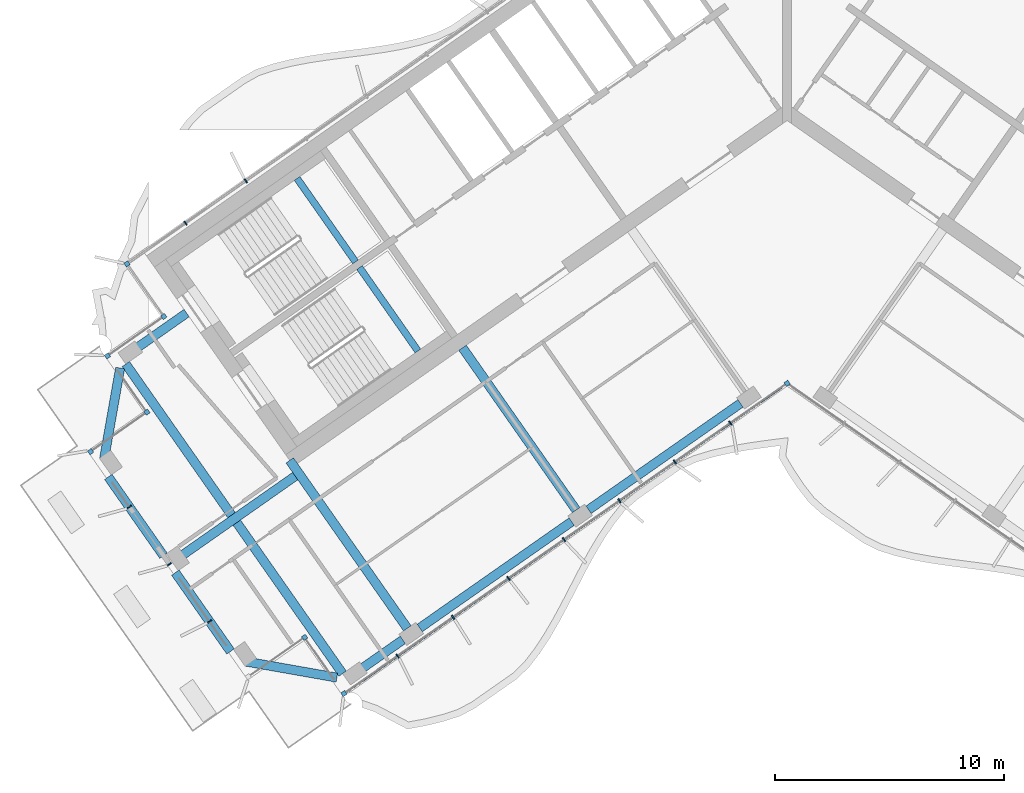
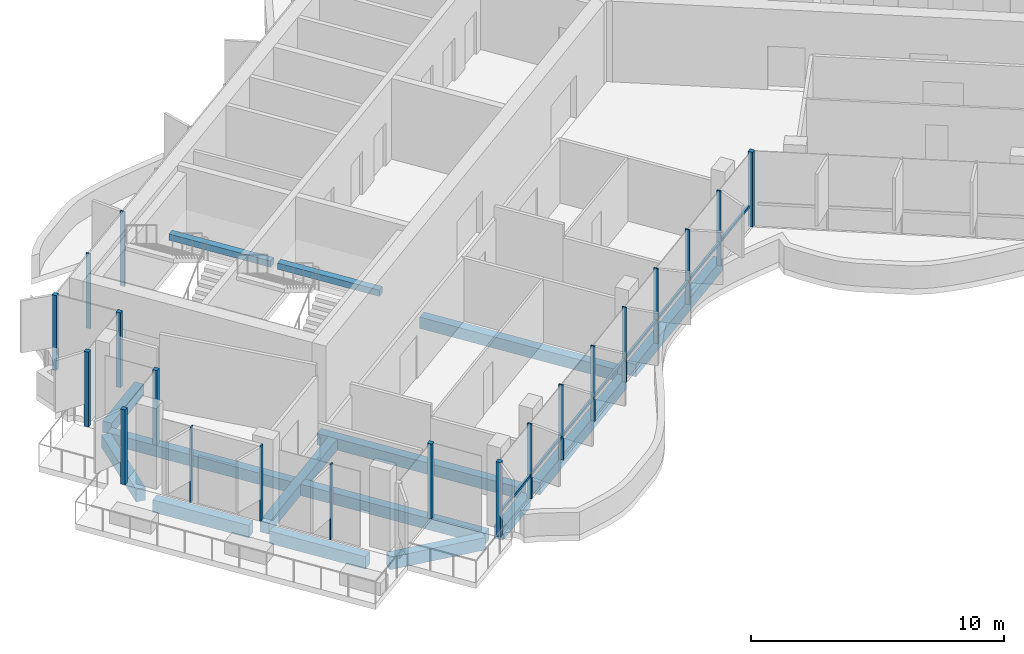
# One storey, part 2 of 18: 21 members, 14 beams, 4 elements without a shape of their own.
"""IFC4 building model written with IfcOpenShell, lengths in metres."""

import ifcopenshell
import ifcopenshell.guid

model = None  # the IFC model being written
_history = None  # IfcOwnerHistory: only IFC2X3 demands one
_inside = {}  # id of a spatial element -> (the spatial element, [elements in it])
_under = {}  # id of a project, library or spatial element -> (it, [spatial elements below it])
_declared = {}  # id of a project -> (the project, [libraries it declares])
_typed = {}  # id of a type object -> (the type object, [elements of that type])
_made_of = {}  # id of a material, layer set ... -> (it, [elements and type objects made of it])


def new_model(schema):
    """Start an empty IFC model of exactly this schema.

    Asked for "IFC4X3", IfcOpenShell would pick the latest addendum, in which some entities
    have other attributes; the version numbers below select the first issue.
    IFC2X3 requires an IfcOwnerHistory on every rooted entity: one is made here for all.
    """
    global model, _history
    if schema == "IFC4X3":
        model = ifcopenshell.file(schema_version=(4, 3, 0, 0))
    else:
        model = ifcopenshell.file(schema=schema)
    _inside.clear()
    _under.clear()
    _declared.clear()
    _typed.clear()
    _made_of.clear()
    _history = None
    if model.schema == "IFC2X3":
        org = make("IfcOrganization", Name="unknown")
        user = make(
            "IfcPersonAndOrganization",
            ThePerson=make("IfcPerson", FamilyName="unknown"),
            TheOrganization=org,
        )
        app = make(
            "IfcApplication",
            ApplicationDeveloper=org,
            Version="unknown",
            ApplicationFullName="unknown",
            ApplicationIdentifier="unknown",
        )
        _history = make(
            "IfcOwnerHistory",
            OwningUser=user,
            OwningApplication=app,
            ChangeAction="ADDED",
            CreationDate=0,
        )
    return model


def make(cls, **values):
    """One entity of the class cls with the attributes given. An attribute that is None is left unset."""
    return model.create_entity(
        cls, **{name: value for name, value in values.items() if value is not None}
    )


def rooted(cls, **values):
    """An entity with a GlobalId (a new one), such as an element, a storey or a relation."""
    return make(cls, GlobalId=ifcopenshell.guid.new(), OwnerHistory=_history, **values)


def si_unit(unit_type, name, prefix=None):
    """IfcSIUnit, for example si_unit("LENGTHUNIT", "METRE", prefix="MILLI")."""
    return make("IfcSIUnit", UnitType=unit_type, Prefix=prefix, Name=name)


def assignment(units):
    """IfcUnitAssignment: the units of a project."""
    return None if units is None else make("IfcUnitAssignment", Units=units)


def point(xyz):
    """IfcCartesianPoint."""
    return None if xyz is None else make("IfcCartesianPoint", Coordinates=xyz)


def direction(xyz):
    """IfcDirection."""
    return None if xyz is None else make("IfcDirection", DirectionRatios=xyz)


def frame(location, z_axis=None, x_axis=None):
    """IfcAxis2Placement3D, a coordinate frame: its origin and axes. An axis left out is left unset."""
    return make(
        "IfcAxis2Placement3D",
        Location=point(location),
        Axis=direction(z_axis),
        RefDirection=direction(x_axis),
    )


def frame_2d(location, x_axis=None):
    """IfcAxis2Placement2D, a coordinate frame in the plane: its origin and x axis."""
    return make(
        "IfcAxis2Placement2D", Location=point(location), RefDirection=direction(x_axis)
    )


def origin():
    """The frame at (0, 0, 0) with its axes left unset."""
    return frame((0.0, 0.0, 0.0))


def origin_2d():
    """The frame at (0, 0) in the plane with its x axis left unset."""
    return frame_2d((0.0, 0.0))


def place(relative_to, where):
    """IfcLocalPlacement: puts the frame where relative to a parent placement (None: the world)."""
    return make(
        "IfcLocalPlacement", PlacementRelTo=relative_to, RelativePlacement=where
    )


def context(
    kind, dimensions, precision=None, world=None, true_north=None, identifier=None
):
    """IfcGeometricRepresentationContext, for example the 3D "Model" context."""
    return make(
        "IfcGeometricRepresentationContext",
        ContextIdentifier=identifier,
        ContextType=kind,
        CoordinateSpaceDimension=dimensions,
        Precision=precision,
        WorldCoordinateSystem=world,
        TrueNorth=true_north,
    )


def subcontext(parent, identifier, kind, view, scale=None):
    """IfcGeometricRepresentationSubContext, for example "Body" below "Model"."""
    return make(
        "IfcGeometricRepresentationSubContext",
        ContextIdentifier=identifier,
        ContextType=kind,
        ParentContext=parent,
        TargetScale=scale,
        TargetView=view,
    )


def project(units=None, contexts=None):
    """IfcProject with its units and contexts."""
    return rooted(
        "IfcProject",
        Name="project",
        RepresentationContexts=contexts,
        UnitsInContext=assignment(units),
    )


def spatial(cls, under=None, at=None, **own):
    """A site, building, storey or space (cls), placed at a placement, below another one or the project."""
    s = rooted(cls, ObjectPlacement=at, **own)
    if under is not None:
        _under.setdefault(under.id(), (under, []))[1].append(s)
    return s


def profile(cls, at=None, kind="AREA", **sizes):
    """A parametric profile (cls). Its sizes go by their IFC names, for example OverallWidth=200.0."""
    return make(cls, ProfileType=kind, Position=at, **sizes)


def rectangle(**sizes):
    """IfcRectangleProfileDef."""
    return profile("IfcRectangleProfileDef", **sizes)


def extrude(swept, where, along, depth):
    """IfcExtrudedAreaSolid: the profile swept, set in the frame where, extruded along a direction by depth."""
    return make(
        "IfcExtrudedAreaSolid",
        SweptArea=swept,
        Position=where,
        ExtrudedDirection=direction(along),
        Depth=depth,
    )


def shape(context_of_items, identifier, shape_type, items):
    """IfcShapeRepresentation: the items that make up one representation, for example the "Body"."""
    return make(
        "IfcShapeRepresentation",
        ContextOfItems=context_of_items,
        RepresentationIdentifier=identifier,
        RepresentationType=shape_type,
        Items=items,
    )


def material(Name=None, Category=None):
    """IfcMaterial."""
    return make("IfcMaterial", Name=Name, Category=Category)


def material_profile(
    of_material, cross_section, Name=None, Category=None, Priority=None
):
    """IfcMaterialProfile: a cross section and its material."""
    return make(
        "IfcMaterialProfile",
        Name=Name,
        Material=of_material,
        Profile=cross_section,
        Priority=Priority,
        Category=Category,
    )


def profile_set(profiles, Name=None, composite=None):
    """IfcMaterialProfileSet."""
    return make(
        "IfcMaterialProfileSet",
        Name=Name,
        MaterialProfiles=profiles,
        CompositeProfile=composite,
    )


def made_of(thing, what):
    """Note that an element or type object is made of a material, layer set ...; save() writes the relation."""
    if what is not None:
        _made_of.setdefault(what.id(), (what, []))[1].append(thing)
    return thing


def type_object(cls, material=None, **own):
    """A type object (cls), such as IfcWallType, which elements share."""
    return made_of(rooted(cls, **own), material)


def element(
    cls,
    number,
    at=None,
    inside=None,
    cuts=None,
    type_object=None,
    material=None,
    context=None,
    identifier="Body",
    shape_type=None,
    held_by="IfcProductDefinitionShape",
    body=None,
    shapes=None,
    **own,
):
    """One element of the class cls, such as IfcWall. Its Tag is "e" and its number.

    at: its placement. inside: the storey or other place that contains it. cuts: it is an
    opening in that element (IfcRelVoidsElement). A single representation is given by context,
    identifier, shape_type and body (its items); several are given by shapes. held_by: the class
    of the entity that holds the representations. save() writes the other relations.
    """
    e = rooted(cls, Tag="e%d" % number, ObjectPlacement=at, **own)
    if body is not None:
        shapes = [shape(context, identifier, shape_type, body)]
    if shapes is not None:
        e.Representation = make(held_by, Representations=shapes)
    if inside is not None:
        _inside.setdefault(inside.id(), (inside, []))[1].append(e)
    if cuts is not None:
        rooted(
            "IfcRelVoidsElement", RelatingBuildingElement=cuts, RelatedOpeningElement=e
        )
    if type_object is not None:
        _typed.setdefault(type_object.id(), (type_object, []))[1].append(e)
    return made_of(e, material)


def aggregate(whole, parts):
    """IfcRelAggregates: a whole, such as a stair, and the parts it consists of."""
    return rooted("IfcRelAggregates", RelatingObject=whole, RelatedObjects=parts)


def save(model, path):
    """Write the relations noted so far, then the file.

    IfcRelAggregates (storeys below a building ...), IfcRelContainedInSpatialStructure (elements
    in a storey), IfcRelDefinesByType, IfcRelAssociatesMaterial and IfcRelDeclares: one each for
    every whole, place, type object, material and project.
    """
    for whole, parts in _under.values():
        aggregate(whole, parts)
    for where, things in _inside.values():
        rooted(
            "IfcRelContainedInSpatialStructure",
            RelatedElements=things,
            RelatingStructure=where,
        )
    for kind, things in _typed.values():
        rooted("IfcRelDefinesByType", RelatedObjects=things, RelatingType=kind)
    for what, things in _made_of.values():
        rooted("IfcRelAssociatesMaterial", RelatedObjects=things, RelatingMaterial=what)
    for by, libraries in _declared.values():
        rooted("IfcRelDeclares", RelatingContext=by, RelatedDefinitions=libraries)
    model.write(path)


model = new_model("IFC4")

# Units and contexts
model_context = context("Model", 3, precision=1e-05, world=origin(), true_north=direction((0.0, 1.0)))
body_context = subcontext(model_context, "Body", "Model", "MODEL_VIEW")
ifc_project = project(units=[si_unit("LENGTHUNIT", "METRE"), si_unit("AREAUNIT", "SQUARE_METRE"), si_unit("VOLUMEUNIT", "CUBIC_METRE"), si_unit("PLANEANGLEUNIT", "RADIAN"), si_unit("MASSUNIT", "GRAM", prefix="KILO")], contexts=[model_context])

# Site, building, storey
site_placement = place(None, origin())
site = spatial("IfcSite", under=ifc_project, at=site_placement, CompositionType="ELEMENT")
building_placement = place(site_placement, origin())
building = spatial("IfcBuilding", under=site, at=building_placement, Name="Tel Ilan Convention Tower", CompositionType="ELEMENT")
storey_placement = place(building_placement, frame((0.0, 0.0, 295.60009765625)))
storey = spatial("IfcBuildingStorey", under=building, at=storey_placement, Name="L70", CompositionType="ELEMENT", Elevation=295.60009765625)

# Beams
ifc_material_1 = material(Name="Concrete C40/50", Category="concrete")
ifc_material_profile_1 = material_profile(ifc_material_1, rectangle(XDim=0.39990234375, YDim=0.550048828125, at=origin_2d()), Name="RC 400x550")
ifc_profile_set_1 = profile_set([ifc_material_profile_1], Name="Concrete C40/50")
beam_type_1 = type_object("IfcBeamType", Name="Beam RC 400x550 Concrete C40/50", PredefinedType="BEAM", material=ifc_profile_set_1)
beam_1_placement = place(storey_placement, frame((-28.677490234375, -11.351806640625, -0.55517578125), z_axis=(0.819121115615, 0.573620604541, 0.0), x_axis=(-0.573620604541, 0.819121115615, 0.0)))
element("IfcBeam", 1, at=beam_1_placement, inside=storey, type_object=beam_type_1, Name="L70 beam W-W-BC-core", PredefinedType="BEAM", context=body_context, shape_type="SweptSolid", body=[
    extrude(rectangle(XDim=0.39990234375, YDim=0.550048828125, at=origin_2d()), origin(), (0.0, 0.0, 1.0), 3.002197265625),
])
beam_2_placement = place(storey_placement, frame((-9.209716796875, -18.229248046875, -0.55517578125), z_axis=(-0.573574099654, 0.819153680457, 0.0), x_axis=(-0.819153680457, -0.573574099654, 0.0)))
element("IfcBeam", 2, at=beam_2_placement, inside=storey, type_object=beam_type_1, Name="L70 beam W-W-F2-core", PredefinedType="BEAM", context=body_context, shape_type="SweptSolid", body=[
    extrude(rectangle(XDim=0.39990234375, YDim=0.550048828125, at=origin_2d()), origin(), (0.0, 0.0, 1.0), 8.64990234375),
])
beam_3_placement = place(storey_placement, frame((-16.58203125, -23.391357421875, -0.55517578125), z_axis=(-0.573584999642, 0.819146048141, 0.0), x_axis=(-0.819146048141, -0.573584999642, 0.0)))
element("IfcBeam", 3, at=beam_3_placement, inside=storey, type_object=beam_type_1, Name="L70 beam W-W-F3-core", PredefinedType="BEAM", context=body_context, shape_type="SweptSolid", body=[
    extrude(rectangle(XDim=0.39990234375, YDim=0.550048828125, at=origin_2d()), origin(), (0.0, 0.0, 1.0), 8.949951171875),
])
beam_4_placement = place(storey_placement, frame((-21.477783203125, -16.748046875, -0.55517578125), z_axis=(-0.819149506207, -0.573580061091, 0.0), x_axis=(0.573580061091, -0.819149506207, 0.0)))
element("IfcBeam", 4, at=beam_4_placement, inside=storey, type_object=beam_type_1, Name="L70 beam W-core-end", PredefinedType="BEAM", context=body_context, shape_type="SweptSolid", body=[
    extrude(rectangle(XDim=0.39990234375, YDim=0.550048828125, at=origin_2d()), origin(), (0.0, 0.0, 1.0), 6.402587890625),
])
beam_5_placement = place(storey_placement, frame((-19.41015625, -25.37158203125, -0.55517578125), z_axis=(-0.573567602601, 0.819158229677, 0.0), x_axis=(-0.819158229677, -0.573567602601, 0.0)))
element("IfcBeam", 5, at=beam_5_placement, inside=storey, type_object=beam_type_1, Name="L70 beam W-W-FC-W-BC", PredefinedType="BEAM", context=body_context, shape_type="SweptSolid", body=[
    extrude(rectangle(XDim=0.39990234375, YDim=0.550048828125, at=origin_2d()), origin(), (0.0, 0.0, 1.0), 16.5),
])
ifc_material_2 = material(Name="Concrete C40/50", Category="concrete")
ifc_material_profile_2 = material_profile(ifc_material_2, rectangle(XDim=0.39990234375, YDim=0.60009765625, at=origin_2d()), Name="RC 400x600")
ifc_profile_set_2 = profile_set([ifc_material_profile_2], Name="Concrete C40/50")
beam_type_2 = type_object("IfcBeamType", Name="Beam RC 400x600 Concrete C40/50", PredefinedType="BEAM", material=ifc_profile_set_2)
beam_6_placement = place(storey_placement, frame((-2.033935546875, -13.57080078125, -0.580078125), z_axis=(-0.81914553362, -0.573585734437, 0.0), x_axis=(0.573585734437, -0.81914553362, 0.0)))
element("IfcBeam", 6, at=beam_6_placement, inside=storey, type_object=beam_type_2, Name="L70 beam W-W-F1-W-F2", PredefinedType="BEAM", context=body_context, shape_type="SweptSolid", body=[
    extrude(rectangle(XDim=0.39990234375, YDim=0.60009765625, at=origin_2d()), origin(), (0.0, 0.0, 1.0), 8.099853515625),
])
beam_7_placement = place(storey_placement, frame((-9.40625, -18.73291015625, -0.580078125), z_axis=(-0.819155449703, -0.573571572885, 0.0), x_axis=(0.573571572885, -0.819155449703, 0.0)))
element("IfcBeam", 7, at=beam_7_placement, inside=storey, type_object=beam_type_2, Name="L70 beam W-W-F2-W-F3", PredefinedType="BEAM", context=body_context, shape_type="SweptSolid", body=[
    extrude(rectangle(XDim=0.39990234375, YDim=0.60009765625, at=origin_2d()), origin(), (0.0, 0.0, 1.0), 8.10009765625),
])
beam_8_placement = place(storey_placement, frame((-16.778564453125, -23.895263671875, -0.580078125), z_axis=(-0.819177991341, -0.573539378337, 0.0), x_axis=(0.573539378337, -0.819177991341, 0.0)))
element("IfcBeam", 8, at=beam_8_placement, inside=storey, type_object=beam_type_2, Name="L70 beam W-W-F3-W-FC", PredefinedType="BEAM", context=body_context, shape_type="SweptSolid", body=[
    extrude(rectangle(XDim=0.39990234375, YDim=0.60009765625, at=origin_2d()), origin(), (0.0, 0.0, 1.0), 2.55224609375),
])
beam_9_placement = place(storey_placement, frame((-19.65576171875, -25.543701171875, -0.580078125), z_axis=(-0.984804894423, 0.173664388751, 0.0), x_axis=(-0.173664388751, -0.984804894423, 0.0)))
element("IfcBeam", 9, at=beam_9_placement, inside=storey, type_object=beam_type_2, Name="L70 beam W-W-FC-W-E1", PredefinedType="BEAM", context=body_context, shape_type="SweptSolid", body=[
    extrude(rectangle(XDim=0.39990234375, YDim=0.60009765625, at=origin_2d()), origin(), (0.0, 0.0, 1.0), 4.030517578125),
])
beam_10_placement = place(storey_placement, frame((-24.301025390625, -24.4013671875, -0.580078125), z_axis=(-0.573563773994, 0.819160910421, 0.0), x_axis=(-0.819160910421, -0.573563773994, 0.0)))
element("IfcBeam", 10, at=beam_10_placement, inside=storey, type_object=beam_type_2, Name="L70 beam W-W-E1-W-E2", PredefinedType="BEAM", context=body_context, shape_type="SweptSolid", body=[
    extrude(rectangle(XDim=0.39990234375, YDim=0.60009765625, at=origin_2d()), origin(), (0.0, 0.0, 1.0), 4.199951171875),
])
beam_11_placement = place(storey_placement, frame((-27.226318359375, -20.223876953125, -0.580078125), z_axis=(-0.573536463352, 0.819180032231, 0.0), x_axis=(-0.819180032231, -0.573536463352, 0.0)))
element("IfcBeam", 11, at=beam_11_placement, inside=storey, type_object=beam_type_2, Name="L70 beam W-W-E2-W-E3", PredefinedType="BEAM", context=body_context, shape_type="SweptSolid", body=[
    extrude(rectangle(XDim=0.39990234375, YDim=0.60009765625, at=origin_2d()), origin(), (0.0, 0.0, 1.0), 4.2001953125),
])
beam_12_placement = place(storey_placement, frame((-29.819580078125, -15.996826171875, -0.580078125), z_axis=(0.173605641124, 0.984815252405, 0.0), x_axis=(-0.984815252405, 0.173605641124, 0.0)))
element("IfcBeam", 12, at=beam_12_placement, inside=storey, type_object=beam_type_2, Name="L70 beam W-W-E3-W-BC", PredefinedType="BEAM", context=body_context, shape_type="SweptSolid", body=[
    extrude(rectangle(XDim=0.39990234375, YDim=0.60009765625, at=origin_2d()), origin(), (0.0, 0.0, 1.0), 4.030517578125),
])

# Curtain wall, members
ifc_material_3 = material(Name="Aluminium, bronze anodised", Category="aluminium")
curtain_wall_type_1 = type_object("IfcCurtainWallType", Name="CW2 STICK CURTAIN WALL, SPANDREL PANELS", PredefinedType="NOTDEFINED", material=ifc_material_3)
curtain_wall_1_placement = place(storey_placement, origin())
curtain_wall_1 = element("IfcCurtainWall", 13, at=curtain_wall_1_placement, inside=storey, type_object=curtain_wall_type_1, Name="Curtain wall CW2-53.01", PredefinedType="NOTDEFINED")
ifc_material_4 = material(Name="Aluminium, bronze anodised", Category="aluminium")
ifc_material_profile_3 = material_profile(ifc_material_4, rectangle(XDim=0.199951171875, YDim=0.199951171875, at=origin_2d()), Name="CW CORNER MULLION 200x200")
ifc_profile_set_3 = profile_set([ifc_material_profile_3], Name="Aluminium, bronze anodised")
member_type_1 = type_object("IfcMemberType", Name="CW CORNER MULLION 200x200", PredefinedType="MULLION", material=ifc_profile_set_3)
member_1_placement = place(storey_placement, frame((-28.819580078125, -7.483642578125, 0.0), z_axis=(0.0, 0.0, 1.0), x_axis=(-0.819152044289, -0.573576436351, 0.0)))
member_1 = element("IfcMember", 14, at=member_1_placement, type_object=member_type_1, Name="Corner mullion", PredefinedType="MULLION", context=body_context, shape_type="SweptSolid", body=[
    extrude(rectangle(XDim=0.199951171875, YDim=0.199951171875, at=origin_2d()), origin(), (0.0, 0.0, 1.0), 3.619873046875),
])
member_2_placement = place(storey_placement, frame((-27.213623046875, -9.77734375, 0.0), z_axis=(0.0, 0.0, 1.0), x_axis=(0.573576436351, -0.819152044289, 0.0)))
member_2 = element("IfcMember", 15, at=member_2_placement, type_object=member_type_1, Name="Corner mullion", PredefinedType="MULLION", context=body_context, shape_type="SweptSolid", body=[
    extrude(rectangle(XDim=0.199951171875, YDim=0.199951171875, at=origin_2d()), origin(), (0.0, 0.0, 1.0), 3.619873046875),
])

ifc_material_5 = material(Name="Aluminium, bronze anodised", Category="aluminium")
curtain_wall_type_2 = type_object("IfcCurtainWallType", Name="CW5 STICK CURTAIN WALL, UPPER OFFICE LOW-IRON TINTED GLASS", PredefinedType="NOTDEFINED", material=ifc_material_5)
curtain_wall_2_placement = place(storey_placement, origin())
curtain_wall_2 = element("IfcCurtainWall", 16, at=curtain_wall_2_placement, inside=storey, type_object=curtain_wall_type_2, Name="Curtain wall CW5-53.02", PredefinedType="NOTDEFINED")
member_3_placement = place(storey_placement, frame((-29.6708984375, -11.498046875, 0.0), z_axis=(0.0, 0.0, 1.0), x_axis=(-0.819152044289, -0.573576436351, 0.0)))
member_3 = element("IfcMember", 17, at=member_3_placement, type_object=member_type_1, Name="Corner mullion", PredefinedType="MULLION", context=body_context, shape_type="SweptSolid", body=[
    extrude(rectangle(XDim=0.199951171875, YDim=0.199951171875, at=origin_2d()), origin(), (0.0, 0.0, 1.0), 3.619873046875),
])
member_4_placement = place(storey_placement, frame((-27.9501953125, -13.955322265625, 0.0), z_axis=(0.0, 0.0, 1.0), x_axis=(0.573576436351, -0.819152044289, 0.0)))
member_4 = element("IfcMember", 18, at=member_4_placement, type_object=member_type_1, Name="Corner mullion", PredefinedType="MULLION", context=body_context, shape_type="SweptSolid", body=[
    extrude(rectangle(XDim=0.199951171875, YDim=0.199951171875, at=origin_2d()), origin(), (0.0, 0.0, 1.0), 3.619873046875),
])
member_5_placement = place(storey_placement, frame((-30.40771484375, -15.676025390625, 0.0), z_axis=(0.0, 0.0, 1.0), x_axis=(-0.819152044289, -0.573576436351, 0.0)))
member_5 = element("IfcMember", 19, at=member_5_placement, type_object=member_type_1, Name="Corner mullion", PredefinedType="MULLION", context=body_context, shape_type="SweptSolid", body=[
    extrude(rectangle(XDim=0.199951171875, YDim=0.199951171875, at=origin_2d()), origin(), (0.0, 0.0, 1.0), 3.619873046875),
])

curtain_wall_3_placement = place(storey_placement, origin())
curtain_wall_3 = element("IfcCurtainWall", 20, at=curtain_wall_3_placement, inside=storey, type_object=curtain_wall_type_2, Name="Curtain wall CW5-53.04", PredefinedType="NOTDEFINED")
member_6_placement = place(storey_placement, frame((-21.0673828125, -23.78515625, 0.0), z_axis=(0.0, 0.0, 1.0), x_axis=(0.819152044289, 0.573576436351, 0.0)))
member_6 = element("IfcMember", 21, at=member_6_placement, type_object=member_type_1, Name="Corner mullion", PredefinedType="MULLION", context=body_context, shape_type="SweptSolid", body=[
    extrude(rectangle(XDim=0.199951171875, YDim=0.199951171875, at=origin_2d()), origin(), (0.0, 0.0, 1.0), 3.619873046875),
])
member_7_placement = place(storey_placement, frame((-19.3466796875, -26.24267578125, 0.0), z_axis=(0.0, 0.0, 1.0), x_axis=(0.573576436351, -0.819152044289, 0.0)))
member_7 = element("IfcMember", 22, at=member_7_placement, type_object=member_type_1, Name="Corner mullion", PredefinedType="MULLION", context=body_context, shape_type="SweptSolid", body=[
    extrude(rectangle(XDim=0.199951171875, YDim=0.199951171875, at=origin_2d()), origin(), (0.0, 0.0, 1.0), 3.619873046875),
])
member_8_placement = place(storey_placement, frame((0.0, -12.696044921875, 0.0), z_axis=(0.0, 0.0, 1.0), x_axis=(0.819152044289, 0.573576436351, 0.0)))
member_8 = element("IfcMember", 23, at=member_8_placement, type_object=member_type_1, Name="Corner mullion", PredefinedType="MULLION", context=body_context, shape_type="SweptSolid", body=[
    extrude(rectangle(XDim=0.199951171875, YDim=0.199951171875, at=origin_2d()), origin(), (0.0, 0.0, 1.0), 3.619873046875),
])

# Member
ifc_material_6 = material(Name="Aluminium, bronze anodised", Category="aluminium")
ifc_material_profile_4 = material_profile(ifc_material_6, rectangle(XDim=0.06005859375, YDim=0.199951171875, at=origin_2d()), Name="CW MULLION 60x200")
ifc_profile_set_4 = profile_set([ifc_material_profile_4], Name="Aluminium, bronze anodised")
member_type_2 = type_object("IfcMemberType", Name="CW MULLION 60x200", PredefinedType="MULLION", material=ifc_profile_set_4)
member_9_placement = place(storey_placement, frame((-23.63623046875, -3.854248046875, 0.0), z_axis=(0.0, 0.0, 1.0), x_axis=(-0.819152044289, -0.573576436351, 0.0)))
member_9 = element("IfcMember", 24, at=member_9_placement, type_object=member_type_2, Name="Mullion", PredefinedType="MULLION", context=body_context, shape_type="SweptSolid", body=[
    extrude(rectangle(XDim=0.06005859375, YDim=0.199951171875, at=origin_2d()), origin(), (0.0, 0.0, 1.0), 3.619873046875),
])

member_10_placement = place(storey_placement, frame((-26.268798828125, -5.697509765625, 0.0), z_axis=(0.0, 0.0, 1.0), x_axis=(-0.819152044289, -0.573576436351, 0.0)))
member_10 = element("IfcMember", 25, at=member_10_placement, type_object=member_type_2, Name="Mullion", PredefinedType="MULLION", context=body_context, shape_type="SweptSolid", body=[
    extrude(rectangle(XDim=0.06005859375, YDim=0.199951171875, at=origin_2d()), origin(), (0.0, 0.0, 1.0), 3.619873046875),
])

aggregate(curtain_wall_1, [member_9, member_10, member_1, member_2])

member_11_placement = place(storey_placement, frame((-28.715576171875, -18.092529296875, 0.0), z_axis=(0.0, 0.0, 1.0), x_axis=(0.573576436351, -0.819152044289, 0.0)))
member_11 = element("IfcMember", 26, at=member_11_placement, type_object=member_type_2, Name="Mullion", PredefinedType="MULLION", context=body_context, shape_type="SweptSolid", body=[
    extrude(rectangle(XDim=0.06005859375, YDim=0.199951171875, at=origin_2d()), origin(), (0.0, 0.0, 1.0), 3.619873046875),
])

aggregate(curtain_wall_2, [member_3, member_4, member_5, member_11])

# Curtain wall, member
curtain_wall_4_placement = place(storey_placement, origin())
curtain_wall_4 = element("IfcCurtainWall", 27, at=curtain_wall_4_placement, inside=storey, type_object=curtain_wall_type_2, Name="Curtain wall CW5-53.03", PredefinedType="NOTDEFINED")
member_12_placement = place(storey_placement, frame((-26.96630859375, -20.591064453125, 0.0), z_axis=(0.0, 0.0, 1.0), x_axis=(0.573576436351, -0.819152044289, 0.0)))
member_12 = element("IfcMember", 28, at=member_12_placement, type_object=member_type_2, Name="Mullion", PredefinedType="MULLION", context=body_context, shape_type="SweptSolid", body=[
    extrude(rectangle(XDim=0.06005859375, YDim=0.199951171875, at=origin_2d()), origin(), (0.0, 0.0, 1.0), 3.619873046875),
])
aggregate(curtain_wall_4, [member_12])

# Member
member_13_placement = place(storey_placement, frame((-25.216796875, -23.08935546875, 0.0), z_axis=(0.0, 0.0, 1.0), x_axis=(0.573576436351, -0.819152044289, 0.0)))
member_13 = element("IfcMember", 29, at=member_13_placement, type_object=member_type_2, Name="Mullion", PredefinedType="MULLION", context=body_context, shape_type="SweptSolid", body=[
    extrude(rectangle(XDim=0.06005859375, YDim=0.199951171875, at=origin_2d()), origin(), (0.0, 0.0, 1.0), 3.619873046875),
])

member_14_placement = place(storey_placement, frame((-17.007080078125, -24.6044921875, 0.0), z_axis=(0.0, 0.0, 1.0), x_axis=(0.819152044289, 0.573576436351, 0.0)))
member_14 = element("IfcMember", 30, at=member_14_placement, type_object=member_type_2, Name="Mullion", PredefinedType="MULLION", context=body_context, shape_type="SweptSolid", body=[
    extrude(rectangle(XDim=0.06005859375, YDim=0.199951171875, at=origin_2d()), origin(), (0.0, 0.0, 1.0), 3.619873046875),
])

member_15_placement = place(storey_placement, frame((-14.585693359375, -22.9091796875, 0.0), z_axis=(0.0, 0.0, 1.0), x_axis=(0.819152044289, 0.573576436351, 0.0)))
member_15 = element("IfcMember", 31, at=member_15_placement, type_object=member_type_2, Name="Mullion", PredefinedType="MULLION", context=body_context, shape_type="SweptSolid", body=[
    extrude(rectangle(XDim=0.06005859375, YDim=0.199951171875, at=origin_2d()), origin(), (0.0, 0.0, 1.0), 3.619873046875),
])

member_16_placement = place(storey_placement, frame((-12.164306640625, -21.213623046875, 0.0), z_axis=(0.0, 0.0, 1.0), x_axis=(0.819152044289, 0.573576436351, 0.0)))
member_16 = element("IfcMember", 32, at=member_16_placement, type_object=member_type_2, Name="Mullion", PredefinedType="MULLION", context=body_context, shape_type="SweptSolid", body=[
    extrude(rectangle(XDim=0.06005859375, YDim=0.199951171875, at=origin_2d()), origin(), (0.0, 0.0, 1.0), 3.619873046875),
])

member_17_placement = place(storey_placement, frame((-9.742919921875, -19.51806640625, 0.0), z_axis=(0.0, 0.0, 1.0), x_axis=(0.819152044289, 0.573576436351, 0.0)))
member_17 = element("IfcMember", 33, at=member_17_placement, type_object=member_type_2, Name="Mullion", PredefinedType="MULLION", context=body_context, shape_type="SweptSolid", body=[
    extrude(rectangle(XDim=0.06005859375, YDim=0.199951171875, at=origin_2d()), origin(), (0.0, 0.0, 1.0), 3.619873046875),
])

member_18_placement = place(storey_placement, frame((-7.321533203125, -17.82275390625, 0.0), z_axis=(0.0, 0.0, 1.0), x_axis=(0.819152044289, 0.573576436351, 0.0)))
member_18 = element("IfcMember", 34, at=member_18_placement, type_object=member_type_2, Name="Mullion", PredefinedType="MULLION", context=body_context, shape_type="SweptSolid", body=[
    extrude(rectangle(XDim=0.06005859375, YDim=0.199951171875, at=origin_2d()), origin(), (0.0, 0.0, 1.0), 3.619873046875),
])

member_19_placement = place(storey_placement, frame((-4.900146484375, -16.127197265625, 0.0), z_axis=(0.0, 0.0, 1.0), x_axis=(0.819152044289, 0.573576436351, 0.0)))
member_19 = element("IfcMember", 35, at=member_19_placement, type_object=member_type_2, Name="Mullion", PredefinedType="MULLION", context=body_context, shape_type="SweptSolid", body=[
    extrude(rectangle(XDim=0.06005859375, YDim=0.199951171875, at=origin_2d()), origin(), (0.0, 0.0, 1.0), 3.619873046875),
])

member_20_placement = place(storey_placement, frame((-2.478759765625, -14.431640625, 0.0), z_axis=(0.0, 0.0, 1.0), x_axis=(0.819152044289, 0.573576436351, 0.0)))
member_20 = element("IfcMember", 36, at=member_20_placement, type_object=member_type_2, Name="Mullion", PredefinedType="MULLION", context=body_context, shape_type="SweptSolid", body=[
    extrude(rectangle(XDim=0.06005859375, YDim=0.199951171875, at=origin_2d()), origin(), (0.0, 0.0, 1.0), 3.619873046875),
])

ifc_material_7 = material(Name="Aluminium, bronze anodised", Category="aluminium")
ifc_material_profile_5 = material_profile(ifc_material_7, rectangle(XDim=0.10009765625, YDim=0.1201171875, at=origin_2d()), Name="CW TRANSOM 100x120")
ifc_profile_set_5 = profile_set([ifc_material_profile_5], Name="Aluminium, bronze anodised")
member_type_3 = type_object("IfcMemberType", Name="CW TRANSOM 100x120", PredefinedType="USERDEFINED", material=ifc_profile_set_5)
member_21_placement = place(storey_placement, frame((-19.2646484375, -26.185302734375, 1.099853515625), z_axis=(0.81915001336, 0.573579336808, 0.0), x_axis=(-0.573579336808, 0.81915001336, 0.0)))
member_21 = element("IfcMember", 37, at=member_21_placement, type_object=member_type_3, Name="Transom", ObjectType="TRANSOM", PredefinedType="USERDEFINED", context=body_context, shape_type="SweptSolid", body=[
    extrude(rectangle(XDim=0.10009765625, YDim=0.1201171875, at=origin_2d()), origin(), (0.0, 0.0, 1.0), 23.247802734375),
])

aggregate(curtain_wall_3, [member_13, member_6, member_7, member_14, member_15, member_16, member_17, member_18, member_19, member_20, member_8, member_21])

# Beams
ifc_material_8 = material(Name="Concrete C40/50", Category="concrete")
ifc_material_profile_6 = material_profile(ifc_material_8, rectangle(XDim=0.300048828125, YDim=0.300048828125, at=origin_2d()), Name="RC 300x300")
ifc_profile_set_6 = profile_set([ifc_material_profile_6], Name="Concrete C40/50")
beam_type_3 = type_object("IfcBeamType", Name="Landing Beam RC 300x300 Concrete C40/50", PredefinedType="BEAM", material=ifc_profile_set_6)
beam_13_placement = place(storey_placement, frame((-18.841796875, -7.394287109375, 1.599853515625), z_axis=(-0.573547030514, 0.819172633691, 0.0), x_axis=(-0.819172633691, -0.573547030514, 0.0)))
element("IfcBeam", 38, at=beam_13_placement, inside=storey, type_object=beam_type_3, Name="S1 landing beam L70.1", PredefinedType="BEAM", context=body_context, shape_type="SweptSolid", body=[
    extrude(rectangle(XDim=0.300048828125, YDim=0.300048828125, at=origin_2d()), origin(), (0.0, 0.0, 1.0), 4.449951171875),
])
beam_14_placement = place(storey_placement, frame((-16.1171875, -11.285400390625, 1.599853515625), z_axis=(-0.573583844845, 0.819146856756, 0.0), x_axis=(-0.819146856756, -0.573583844845, 0.0)))
element("IfcBeam", 39, at=beam_14_placement, inside=storey, type_object=beam_type_3, Name="S2 landing beam L70.1", PredefinedType="BEAM", context=body_context, shape_type="SweptSolid", body=[
    extrude(rectangle(XDim=0.300048828125, YDim=0.300048828125, at=origin_2d()), origin(), (0.0, 0.0, 1.0), 4.4501953125),
])

save(model, "model.ifc")
